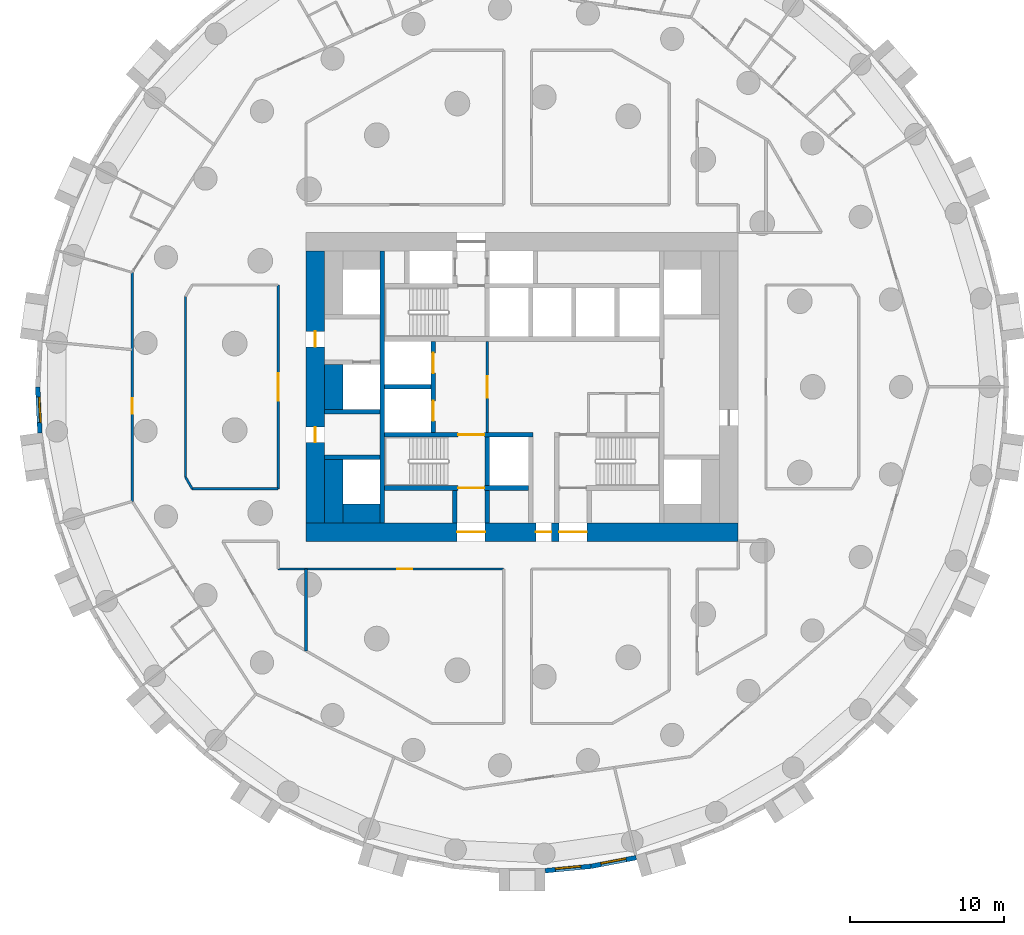
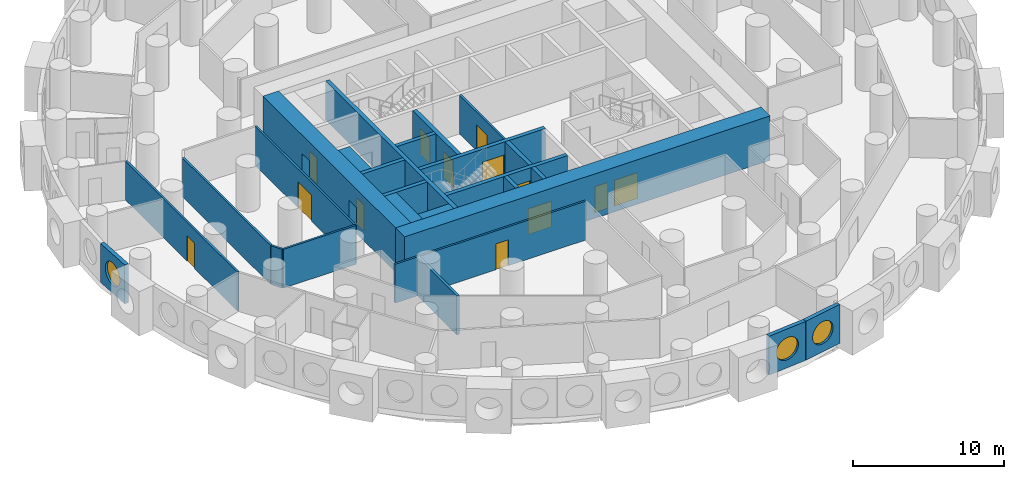
# One storey, part 4 of 12: 26 walls, 13 doors, 3 windows, 16 openings.
"""IFC4 building model written with IfcOpenShell, lengths in metres."""

import ifcopenshell
import ifcopenshell.guid

model = None  # the IFC model being written
_history = None  # IfcOwnerHistory: only IFC2X3 demands one
_inside = {}  # id of a spatial element -> (the spatial element, [elements in it])
_under = {}  # id of a project, library or spatial element -> (it, [spatial elements below it])
_declared = {}  # id of a project -> (the project, [libraries it declares])
_typed = {}  # id of a type object -> (the type object, [elements of that type])
_made_of = {}  # id of a material, layer set ... -> (it, [elements and type objects made of it])


def new_model(schema):
    """Start an empty IFC model of exactly this schema.

    Asked for "IFC4X3", IfcOpenShell would pick the latest addendum, in which some entities
    have other attributes; the version numbers below select the first issue.
    IFC2X3 requires an IfcOwnerHistory on every rooted entity: one is made here for all.
    """
    global model, _history
    if schema == "IFC4X3":
        model = ifcopenshell.file(schema_version=(4, 3, 0, 0))
    else:
        model = ifcopenshell.file(schema=schema)
    _inside.clear()
    _under.clear()
    _declared.clear()
    _typed.clear()
    _made_of.clear()
    _history = None
    if model.schema == "IFC2X3":
        org = make("IfcOrganization", Name="unknown")
        user = make(
            "IfcPersonAndOrganization",
            ThePerson=make("IfcPerson", FamilyName="unknown"),
            TheOrganization=org,
        )
        app = make(
            "IfcApplication",
            ApplicationDeveloper=org,
            Version="unknown",
            ApplicationFullName="unknown",
            ApplicationIdentifier="unknown",
        )
        _history = make(
            "IfcOwnerHistory",
            OwningUser=user,
            OwningApplication=app,
            ChangeAction="ADDED",
            CreationDate=0,
        )
    return model


def make(cls, **values):
    """One entity of the class cls with the attributes given. An attribute that is None is left unset."""
    return model.create_entity(
        cls, **{name: value for name, value in values.items() if value is not None}
    )


def rooted(cls, **values):
    """An entity with a GlobalId (a new one), such as an element, a storey or a relation."""
    return make(cls, GlobalId=ifcopenshell.guid.new(), OwnerHistory=_history, **values)


def si_unit(unit_type, name, prefix=None):
    """IfcSIUnit, for example si_unit("LENGTHUNIT", "METRE", prefix="MILLI")."""
    return make("IfcSIUnit", UnitType=unit_type, Prefix=prefix, Name=name)


def assignment(units):
    """IfcUnitAssignment: the units of a project."""
    return None if units is None else make("IfcUnitAssignment", Units=units)


def point(xyz):
    """IfcCartesianPoint."""
    return None if xyz is None else make("IfcCartesianPoint", Coordinates=xyz)


def direction(xyz):
    """IfcDirection."""
    return None if xyz is None else make("IfcDirection", DirectionRatios=xyz)


def frame(location, z_axis=None, x_axis=None):
    """IfcAxis2Placement3D, a coordinate frame: its origin and axes. An axis left out is left unset."""
    return make(
        "IfcAxis2Placement3D",
        Location=point(location),
        Axis=direction(z_axis),
        RefDirection=direction(x_axis),
    )


def frame_2d(location, x_axis=None):
    """IfcAxis2Placement2D, a coordinate frame in the plane: its origin and x axis."""
    return make(
        "IfcAxis2Placement2D", Location=point(location), RefDirection=direction(x_axis)
    )


def origin():
    """The frame at (0, 0, 0) with its axes left unset."""
    return frame((0.0, 0.0, 0.0))


def origin_2d():
    """The frame at (0, 0) in the plane with its x axis left unset."""
    return frame_2d((0.0, 0.0))


def place(relative_to, where):
    """IfcLocalPlacement: puts the frame where relative to a parent placement (None: the world)."""
    return make(
        "IfcLocalPlacement", PlacementRelTo=relative_to, RelativePlacement=where
    )


def context(
    kind, dimensions, precision=None, world=None, true_north=None, identifier=None
):
    """IfcGeometricRepresentationContext, for example the 3D "Model" context."""
    return make(
        "IfcGeometricRepresentationContext",
        ContextIdentifier=identifier,
        ContextType=kind,
        CoordinateSpaceDimension=dimensions,
        Precision=precision,
        WorldCoordinateSystem=world,
        TrueNorth=true_north,
    )


def subcontext(parent, identifier, kind, view, scale=None):
    """IfcGeometricRepresentationSubContext, for example "Body" below "Model"."""
    return make(
        "IfcGeometricRepresentationSubContext",
        ContextIdentifier=identifier,
        ContextType=kind,
        ParentContext=parent,
        TargetScale=scale,
        TargetView=view,
    )


def project(units=None, contexts=None):
    """IfcProject with its units and contexts."""
    return rooted(
        "IfcProject",
        Name="project",
        RepresentationContexts=contexts,
        UnitsInContext=assignment(units),
    )


def spatial(cls, under=None, at=None, **own):
    """A site, building, storey or space (cls), placed at a placement, below another one or the project."""
    s = rooted(cls, ObjectPlacement=at, **own)
    if under is not None:
        _under.setdefault(under.id(), (under, []))[1].append(s)
    return s


def profile(cls, at=None, kind="AREA", **sizes):
    """A parametric profile (cls). Its sizes go by their IFC names, for example OverallWidth=200.0."""
    return make(cls, ProfileType=kind, Position=at, **sizes)


def rectangle(**sizes):
    """IfcRectangleProfileDef."""
    return profile("IfcRectangleProfileDef", **sizes)


def circle(**sizes):
    """IfcCircleProfileDef."""
    return profile("IfcCircleProfileDef", **sizes)


def extrude(swept, where, along, depth):
    """IfcExtrudedAreaSolid: the profile swept, set in the frame where, extruded along a direction by depth."""
    return make(
        "IfcExtrudedAreaSolid",
        SweptArea=swept,
        Position=where,
        ExtrudedDirection=direction(along),
        Depth=depth,
    )


def shape(context_of_items, identifier, shape_type, items):
    """IfcShapeRepresentation: the items that make up one representation, for example the "Body"."""
    return make(
        "IfcShapeRepresentation",
        ContextOfItems=context_of_items,
        RepresentationIdentifier=identifier,
        RepresentationType=shape_type,
        Items=items,
    )


def material(Name=None, Category=None):
    """IfcMaterial."""
    return make("IfcMaterial", Name=Name, Category=Category)


def layer(
    of_material, thickness, ventilated=None, Name=None, Category=None, Priority=None
):
    """IfcMaterialLayer: one layer of a wall or slab, of a material (None: an air gap)."""
    return make(
        "IfcMaterialLayer",
        Material=of_material,
        LayerThickness=thickness,
        IsVentilated=ventilated,
        Name=Name,
        Category=Category,
        Priority=Priority,
    )


def layer_set(layers, Name=None):
    """IfcMaterialLayerSet."""
    return make("IfcMaterialLayerSet", MaterialLayers=layers, LayerSetName=Name)


def made_of(thing, what):
    """Note that an element or type object is made of a material, layer set ...; save() writes the relation."""
    if what is not None:
        _made_of.setdefault(what.id(), (what, []))[1].append(thing)
    return thing


def type_object(cls, material=None, **own):
    """A type object (cls), such as IfcWallType, which elements share."""
    return made_of(rooted(cls, **own), material)


def element(
    cls,
    number,
    at=None,
    inside=None,
    cuts=None,
    type_object=None,
    material=None,
    context=None,
    identifier="Body",
    shape_type=None,
    held_by="IfcProductDefinitionShape",
    body=None,
    shapes=None,
    **own,
):
    """One element of the class cls, such as IfcWall. Its Tag is "e" and its number.

    at: its placement. inside: the storey or other place that contains it. cuts: it is an
    opening in that element (IfcRelVoidsElement). A single representation is given by context,
    identifier, shape_type and body (its items); several are given by shapes. held_by: the class
    of the entity that holds the representations. save() writes the other relations.
    """
    e = rooted(cls, Tag="e%d" % number, ObjectPlacement=at, **own)
    if body is not None:
        shapes = [shape(context, identifier, shape_type, body)]
    if shapes is not None:
        e.Representation = make(held_by, Representations=shapes)
    if inside is not None:
        _inside.setdefault(inside.id(), (inside, []))[1].append(e)
    if cuts is not None:
        rooted(
            "IfcRelVoidsElement", RelatingBuildingElement=cuts, RelatedOpeningElement=e
        )
    if type_object is not None:
        _typed.setdefault(type_object.id(), (type_object, []))[1].append(e)
    return made_of(e, material)


def fill(opening, filler):
    """IfcRelFillsElement: the door or window that sits in an opening."""
    return rooted(
        "IfcRelFillsElement",
        RelatingOpeningElement=opening,
        RelatedBuildingElement=filler,
    )


def aggregate(whole, parts):
    """IfcRelAggregates: a whole, such as a stair, and the parts it consists of."""
    return rooted("IfcRelAggregates", RelatingObject=whole, RelatedObjects=parts)


def save(model, path):
    """Write the relations noted so far, then the file.

    IfcRelAggregates (storeys below a building ...), IfcRelContainedInSpatialStructure (elements
    in a storey), IfcRelDefinesByType, IfcRelAssociatesMaterial and IfcRelDeclares: one each for
    every whole, place, type object, material and project.
    """
    for whole, parts in _under.values():
        aggregate(whole, parts)
    for where, things in _inside.values():
        rooted(
            "IfcRelContainedInSpatialStructure",
            RelatedElements=things,
            RelatingStructure=where,
        )
    for kind, things in _typed.values():
        rooted("IfcRelDefinesByType", RelatedObjects=things, RelatingType=kind)
    for what, things in _made_of.values():
        rooted("IfcRelAssociatesMaterial", RelatedObjects=things, RelatingMaterial=what)
    for by, libraries in _declared.values():
        rooted("IfcRelDeclares", RelatingContext=by, RelatedDefinitions=libraries)
    model.write(path)


model = new_model("IFC4")

# Units and contexts
model_context = context("Model", 3, precision=1e-05, world=origin(), true_north=direction((0.0, 1.0)))
body_context = subcontext(model_context, "Body", "Model", "MODEL_VIEW")
ifc_project = project(units=[si_unit("LENGTHUNIT", "METRE"), si_unit("AREAUNIT", "SQUARE_METRE"), si_unit("VOLUMEUNIT", "CUBIC_METRE"), si_unit("PLANEANGLEUNIT", "RADIAN"), si_unit("MASSUNIT", "GRAM", prefix="KILO")], contexts=[model_context])

# Site, building, storey
site_placement = place(None, origin())
site = spatial("IfcSite", under=ifc_project, at=site_placement, CompositionType="ELEMENT")
building_placement = place(site_placement, origin())
building = spatial("IfcBuilding", under=site, at=building_placement, Name="Tracery Tower", CompositionType="ELEMENT")
storey_placement = place(building_placement, frame((0.0, 0.0, 53.39990234375)))
storey = spatial("IfcBuildingStorey", under=building, at=storey_placement, Name="L12", CompositionType="ELEMENT", Elevation=53.39990234375)

# Wall, opening, door
ifc_material_1 = material(Name="Plasterboard on steel studs", Category="steel")
ifc_layer_1 = layer(ifc_material_1, 0.14990234375)
ifc_layer_set_1 = layer_set([ifc_layer_1], Name="Core lobby partition 150")
wall_type_1 = type_object("IfcWallType", Name="Core lobby partition 150", PredefinedType="SOLIDWALL", material=ifc_layer_set_1)
wall_1_placement = place(storey_placement, frame((-2.25, -2.949951171875, 0.0), z_axis=(0.0, 0.0, 1.0), x_axis=(0.0, 1.0, 0.0)))
wall_1 = element("IfcWall", 1, at=wall_1_placement, inside=storey, type_object=wall_type_1, Name="L12 FF lobby E", PredefinedType="SOLIDWALL", context=body_context, shape_type="SweptSolid", body=[
    extrude(rectangle(XDim=5.89990234375, YDim=0.14990234375, at=frame_2d((2.949951171875, 0.0))), origin(), (0.0, 0.0, 1.0), 3.150146484375),
])
opening_1_placement = place(wall_1_placement, frame((2.25, 0.0, 0.0)))
opening_1 = element("IfcOpeningElement", 2, at=opening_1_placement, cuts=wall_1, Name="Opening KD8", PredefinedType="OPENING", context=body_context, shape_type="SweptSolid", body=[
    extrude(rectangle(XDim=1.39990234375, YDim=2.10009765625, at=frame_2d((0.699951171875, 1.050048828125))), frame((0.0, 0.074951171875, 0.0), z_axis=(0.0, -1.0, 0.0), x_axis=(1.0, 0.0, 0.0)), (0.0, 0.0, 1.0), 0.14990234375),
])
ifc_material_2 = material(Name="Steel fire door", Category="steel")
door_type_1 = type_object("IfcDoorType", Name="Core lobby door 1400 double", OperationType="NOTDEFINED", PredefinedType="DOOR", material=ifc_material_2)
door_1_placement = place(opening_1_placement, origin())
door_1 = element("IfcDoor", 3, at=door_1_placement, inside=storey, type_object=door_type_1, Name="Fire-fighting lobby door", OperationType="DOUBLE_DOOR_SINGLE_SWING", OverallHeight=2.10009765625, OverallWidth=1.39990234375, PredefinedType="DOOR", context=body_context, shape_type="SweptSolid", body=[
    extrude(rectangle(XDim=1.39990234375, YDim=2.10009765625, at=frame_2d((0.699951171875, 1.050048828125))), frame((0.0, 0.02490234375, 0.0), z_axis=(0.0, -1.0, 0.0), x_axis=(1.0, 0.0, 0.0)), (0.0, 0.0, 1.0), 0.050048828125),
])
fill(opening_1, door_1)

# Walls
ifc_material_3 = material(Name="Concrete C60/75", Category="concrete")
ifc_layer_2 = layer(ifc_material_3, 1.199951171875)
ifc_layer_set_2 = layer_set([ifc_layer_2], Name="Core strip wall 1200 C60")
wall_type_2 = type_object("IfcWallType", Name="Core strip wall 1200 C60", PredefinedType="SOLIDWALL", material=ifc_layer_set_2)
wall_2_placement = place(storey_placement, frame((-12.199951171875, -8.800048828125, 0.0), z_axis=(0.0, 0.0, 1.0), x_axis=(0.0, 1.0, 0.0)))
element("IfcWall", 4, at=wall_2_placement, inside=storey, type_object=wall_type_2, Name="L12 wing strip -1 -9.4", PredefinedType="SOLIDWALL", context=body_context, shape_type="SweptSolid", body=[
    extrude(rectangle(XDim=4.10009765625, YDim=1.199951171875, at=frame_2d((2.050048828125, 0.0))), origin(), (0.0, 0.0, 1.0), 3.150146484375),
])
wall_3_placement = place(storey_placement, frame((-12.199951171875, -1.449951171875, 0.0), z_axis=(0.0, 0.0, 1.0), x_axis=(0.0, 1.0, 0.0)))
element("IfcWall", 5, at=wall_3_placement, inside=storey, type_object=wall_type_2, Name="L12 wing strip -1 -1.6", PredefinedType="SOLIDWALL", context=body_context, shape_type="SweptSolid", body=[
    extrude(rectangle(XDim=2.89990234375, YDim=1.199951171875, at=frame_2d((1.449951171875, 0.0))), origin(), (0.0, 0.0, 1.0), 3.150146484375),
])
wall_4_placement = place(storey_placement, frame((-11.60009765625, -8.199951171875, 0.0), z_axis=(0.0, 0.0, 1.0), x_axis=(1.0, 0.0, 0.0)))
element("IfcWall", 6, at=wall_4_placement, inside=storey, type_object=wall_type_2, Name="L12 wing corner -1 -8.2", PredefinedType="SOLIDWALL", context=body_context, shape_type="SweptSolid", body=[
    extrude(rectangle(XDim=2.400146484375, YDim=1.199951171875, at=frame_2d((1.2001953125, 0.0))), origin(), (0.0, 0.0, 1.0), 3.150146484375),
])

# Wall, openings, doors
ifc_material_4 = material(Name="Concrete C60/75", Category="concrete")
ifc_layer_3 = layer(ifc_material_4, 1.199951171875)
ifc_layer_set_3 = layer_set([ifc_layer_3], Name="Core wall 1200 C60")
wall_type_3 = type_object("IfcWallType", Name="Core wall 1200 C60", PredefinedType="SOLIDWALL", material=ifc_layer_set_3)
wall_5_placement = place(storey_placement, frame((-14.0, -9.39990234375, 0.0), z_axis=(0.0, 0.0, 1.0), x_axis=(1.0, 0.0, 0.0)))
wall_5 = element("IfcWall", 7, at=wall_5_placement, inside=storey, type_object=wall_type_3, Name="L12 outer S", PredefinedType="SOLIDWALL", context=body_context, shape_type="SweptSolid", body=[
    extrude(rectangle(XDim=28.0, YDim=1.199951171875, at=frame_2d((14.0, 0.0))), origin(), (0.0, 0.0, 1.0), 3.60009765625),
])
opening_2_placement = place(wall_5_placement, frame((14.89990234375, 0.0, 0.0)))
opening_2 = element("IfcOpeningElement", 8, at=opening_2_placement, cuts=wall_5, Name="Opening KD16", PredefinedType="OPENING", context=body_context, shape_type="SweptSolid", body=[
    extrude(rectangle(XDim=1.0, YDim=2.10009765625, at=frame_2d((0.5, 1.050048828125))), frame((0.0, 0.60009765625, 0.0), z_axis=(0.0, -1.0, 0.0), x_axis=(1.0, 0.0, 0.0)), (0.0, 0.0, 1.0), 1.199951171875),
])
opening_3_placement = place(wall_5_placement, frame((9.800048828125, 0.0, 0.0)))
opening_3 = element("IfcOpeningElement", 9, at=opening_3_placement, cuts=wall_5, Name="Opening KD13", PredefinedType="OPENING", context=body_context, shape_type="SweptSolid", body=[
    extrude(rectangle(XDim=1.800048828125, YDim=2.10009765625, at=frame_2d((0.89990234375, 1.050048828125))), frame((0.0, 0.60009765625, 0.0), z_axis=(0.0, -1.0, 0.0), x_axis=(1.0, 0.0, 0.0)), (0.0, 0.0, 1.0), 1.199951171875),
])
opening_4_placement = place(wall_5_placement, frame((16.39990234375, 0.0, 0.0)))
opening_4 = element("IfcOpeningElement", 10, at=opening_4_placement, cuts=wall_5, Name="Opening KD13", PredefinedType="OPENING", context=body_context, shape_type="SweptSolid", body=[
    extrude(rectangle(XDim=1.800048828125, YDim=2.10009765625, at=frame_2d((0.89990234375, 1.050048828125))), frame((0.0, 0.60009765625, 0.0), z_axis=(0.0, -1.0, 0.0), x_axis=(1.0, 0.0, 0.0)), (0.0, 0.0, 1.0), 1.199951171875),
])
ifc_material_5 = material(Name="Steel fire door", Category="steel")
door_type_2 = type_object("IfcDoorType", Name="Core exit door 1000", OperationType="NOTDEFINED", PredefinedType="DOOR", material=ifc_material_5)
door_2_placement = place(opening_2_placement, origin())
door_2 = element("IfcDoor", 11, at=door_2_placement, inside=storey, type_object=door_type_2, Name="Core exit door", OperationType="SINGLE_SWING_LEFT", OverallHeight=2.10009765625, OverallWidth=1.0, PredefinedType="DOOR", context=body_context, shape_type="SweptSolid", body=[
    extrude(rectangle(XDim=1.0, YDim=2.10009765625, at=frame_2d((0.5, 1.050048828125))), frame((0.0, 0.02490234375, 0.0), z_axis=(0.0, -1.0, 0.0), x_axis=(1.0, 0.0, 0.0)), (0.0, 0.0, 1.0), 0.050048828125),
])
fill(opening_2, door_2)
ifc_material_6 = material(Name="Steel fire door", Category="steel")
door_type_3 = type_object("IfcDoorType", Name="Core exit door 1800 double", OperationType="NOTDEFINED", PredefinedType="DOOR", material=ifc_material_6)
door_3_placement = place(opening_3_placement, origin())
door_3 = element("IfcDoor", 12, at=door_3_placement, inside=storey, type_object=door_type_3, Name="Core exit door", OperationType="DOUBLE_DOOR_SINGLE_SWING", OverallHeight=2.10009765625, OverallWidth=1.800048828125, PredefinedType="DOOR", context=body_context, shape_type="SweptSolid", body=[
    extrude(rectangle(XDim=1.800048828125, YDim=2.10009765625, at=frame_2d((0.89990234375, 1.050048828125))), frame((0.0, 0.02490234375, 0.0), z_axis=(0.0, -1.0, 0.0), x_axis=(1.0, 0.0, 0.0)), (0.0, 0.0, 1.0), 0.050048828125),
])
fill(opening_3, door_3)
door_4_placement = place(opening_4_placement, origin())
door_4 = element("IfcDoor", 13, at=door_4_placement, inside=storey, type_object=door_type_3, Name="Core exit door", OperationType="DOUBLE_DOOR_SINGLE_SWING", OverallHeight=2.10009765625, OverallWidth=1.800048828125, PredefinedType="DOOR", context=body_context, shape_type="SweptSolid", body=[
    extrude(rectangle(XDim=1.800048828125, YDim=2.10009765625, at=frame_2d((0.89990234375, 1.050048828125))), frame((0.0, 0.02490234375, 0.0), z_axis=(0.0, -1.0, 0.0), x_axis=(1.0, 0.0, 0.0)), (0.0, 0.0, 1.0), 0.050048828125),
])
fill(opening_4, door_4)

wall_6_placement = place(storey_placement, frame((-13.39990234375, -8.800048828125, 0.0), z_axis=(0.0, 0.0, 1.0), x_axis=(0.0, 1.0, 0.0)))
wall_6 = element("IfcWall", 14, at=wall_6_placement, inside=storey, type_object=wall_type_3, Name="L12 outer W", PredefinedType="SOLIDWALL", context=body_context, shape_type="SweptSolid", body=[
    extrude(rectangle(XDim=17.60009765625, YDim=1.199951171875, at=frame_2d((8.800048828125, 0.0))), origin(), (0.0, 0.0, 1.0), 3.60009765625),
])
opening_5_placement = place(wall_6_placement, frame((5.199951171875, 0.0, 0.0)))
opening_5 = element("IfcOpeningElement", 15, at=opening_5_placement, cuts=wall_6, Name="Opening KD18", PredefinedType="OPENING", context=body_context, shape_type="SweptSolid", body=[
    extrude(rectangle(XDim=1.0, YDim=2.10009765625, at=frame_2d((0.5, 1.050048828125))), frame((0.0, 0.60009765625, 0.0), z_axis=(0.0, -1.0, 0.0), x_axis=(1.0, 0.0, 0.0)), (0.0, 0.0, 1.0), 1.199951171875),
])
opening_6_placement = place(wall_6_placement, frame((11.39990234375, 0.0, 0.0)))
opening_6 = element("IfcOpeningElement", 16, at=opening_6_placement, cuts=wall_6, Name="Opening KD18", PredefinedType="OPENING", context=body_context, shape_type="SweptSolid", body=[
    extrude(rectangle(XDim=1.0, YDim=2.10009765625, at=frame_2d((0.5, 1.050048828125))), frame((0.0, 0.60009765625, 0.0), z_axis=(0.0, -1.0, 0.0), x_axis=(1.0, 0.0, 0.0)), (0.0, 0.0, 1.0), 1.199951171875),
])
door_5_placement = place(opening_5_placement, origin())
door_5 = element("IfcDoor", 17, at=door_5_placement, inside=storey, type_object=door_type_2, Name="Core exit door", OperationType="DOUBLE_DOOR_SINGLE_SWING", OverallHeight=2.10009765625, OverallWidth=1.0, PredefinedType="DOOR", context=body_context, shape_type="SweptSolid", body=[
    extrude(rectangle(XDim=1.0, YDim=2.10009765625, at=frame_2d((0.5, 1.050048828125))), frame((0.0, 0.02490234375, 0.0), z_axis=(0.0, -1.0, 0.0), x_axis=(1.0, 0.0, 0.0)), (0.0, 0.0, 1.0), 0.050048828125),
])
fill(opening_5, door_5)
door_6_placement = place(opening_6_placement, origin())
door_6 = element("IfcDoor", 18, at=door_6_placement, inside=storey, type_object=door_type_2, Name="Core exit door", OperationType="DOUBLE_DOOR_SINGLE_SWING", OverallHeight=2.10009765625, OverallWidth=1.0, PredefinedType="DOOR", context=body_context, shape_type="SweptSolid", body=[
    extrude(rectangle(XDim=1.0, YDim=2.10009765625, at=frame_2d((0.5, 1.050048828125))), frame((0.0, 0.02490234375, 0.0), z_axis=(0.0, -1.0, 0.0), x_axis=(1.0, 0.0, 0.0)), (0.0, 0.0, 1.0), 0.050048828125),
])
fill(opening_6, door_6)

# Wall, opening, window
ifc_material_7 = material(Name="Precast concrete C50/60", Category="concrete")
ifc_layer_4 = layer(ifc_material_7, 0.300048828125)
ifc_layer_set_4 = layer_set([ifc_layer_4], Name="Facade panel 3000 x 3150")
wall_type_4 = type_object("IfcWallType", Name="Facade panel 3000 x 3150", PredefinedType="SOLIDWALL", material=ifc_layer_set_4)
wall_7_placement = place(storey_placement, frame((-31.37451171875, 0.0, 0.0), z_axis=(0.0, 0.0, 1.0), x_axis=(0.047604077644, -0.998866283239, 0.0)))
wall_7 = element("IfcWall", 19, at=wall_7_placement, inside=storey, type_object=wall_type_4, Name="Facade panel 34 at L12", PredefinedType="SOLIDWALL", context=body_context, shape_type="SweptSolid", body=[
    extrude(rectangle(XDim=2.979736328125, YDim=0.300048828125, at=frame_2d((1.48974609375, 0.0))), origin(), (0.0, 0.0, 1.0), 3.150146484375),
])
opening_7_placement = place(wall_7_placement, frame((1.48974609375, 0.0, 1.5498046875)))
opening_7 = element("IfcOpeningElement", 20, at=opening_7_placement, cuts=wall_7, Name="Opening WN1", PredefinedType="OPENING", context=body_context, shape_type="SweptSolid", body=[
    extrude(circle(Radius=0.9000244140625, at=origin_2d()), frame((0.0, 0.159912109375, 0.0), z_axis=(0.0, -1.0, 0.0), x_axis=(1.0, 0.0, 0.0)), (0.0, 0.0, 1.0), 0.320068359375),
])
ifc_material_8 = material(Name="Aluminium frame with tinted double glazing", Category="aluminium")
window_type = type_object("IfcWindowType", Name="Round window 1800", PartitioningType="SINGLE_PANEL", PredefinedType="WINDOW", material=ifc_material_8)
window_1_placement = place(opening_7_placement, origin())
window_1 = element("IfcWindow", 21, at=window_1_placement, inside=storey, type_object=window_type, Name="Round window 34 at L12", OverallHeight=1.800048828125, OverallWidth=1.800048828125, PartitioningType="SINGLE_PANEL", PredefinedType="WINDOW", context=body_context, shape_type="SweptSolid", body=[
    extrude(circle(Radius=0.9000244140625, at=origin_2d()), frame((0.0, 0.1201171875, 0.0), z_axis=(0.0, -1.0, 0.0), x_axis=(1.0, 0.0, 0.0)), (0.0, 0.0, 1.0), 0.10009765625),
])
fill(opening_7, window_1)

wall_8_placement = place(storey_placement, frame((1.498779296875, -31.33837890625, 0.0), z_axis=(0.0, 0.0, 1.0), x_axis=(0.995473351551, 0.095041077185, 0.0)))
wall_8 = element("IfcWall", 22, at=wall_8_placement, inside=storey, type_object=wall_type_4, Name="Facade panel 51 at L12", PredefinedType="SOLIDWALL", context=body_context, shape_type="SweptSolid", body=[
    extrude(rectangle(XDim=2.979736328125, YDim=0.300048828125, at=frame_2d((1.48974609375, 0.0))), origin(), (0.0, 0.0, 1.0), 3.150146484375),
])
opening_8_placement = place(wall_8_placement, frame((1.48974609375, 0.0, 1.5498046875)))
opening_8 = element("IfcOpeningElement", 23, at=opening_8_placement, cuts=wall_8, Name="Opening WN1", PredefinedType="OPENING", context=body_context, shape_type="SweptSolid", body=[
    extrude(circle(Radius=0.9000244140625, at=origin_2d()), frame((0.0, 0.159912109375, 0.0), z_axis=(0.0, -1.0, 0.0), x_axis=(1.0, 0.0, 0.0)), (0.0, 0.0, 1.0), 0.320068359375),
])
window_2_placement = place(opening_8_placement, origin())
window_2 = element("IfcWindow", 24, at=window_2_placement, inside=storey, type_object=window_type, Name="Round window 51 at L12", OverallHeight=1.800048828125, OverallWidth=1.800048828125, PartitioningType="SINGLE_PANEL", PredefinedType="WINDOW", context=body_context, shape_type="SweptSolid", body=[
    extrude(circle(Radius=0.9000244140625, at=origin_2d()), frame((0.0, 0.1201171875, 0.0), z_axis=(0.0, -1.0, 0.0), x_axis=(1.0, 0.0, 0.0)), (0.0, 0.0, 1.0), 0.10009765625),
])
fill(opening_8, window_2)

wall_9_placement = place(storey_placement, frame((4.465087890625, -31.05517578125, 0.0), z_axis=(0.0, 0.0, 1.0), x_axis=(0.981924535406, 0.189272836848, 0.0)))
wall_9 = element("IfcWall", 25, at=wall_9_placement, inside=storey, type_object=wall_type_4, Name="Facade panel 52 at L12", PredefinedType="SOLIDWALL", context=body_context, shape_type="SweptSolid", body=[
    extrude(rectangle(XDim=2.979736328125, YDim=0.300048828125, at=frame_2d((1.48974609375, 0.0))), origin(), (0.0, 0.0, 1.0), 3.150146484375),
])
opening_9_placement = place(wall_9_placement, frame((1.48974609375, 0.0, 1.5498046875)))
opening_9 = element("IfcOpeningElement", 26, at=opening_9_placement, cuts=wall_9, Name="Opening WN1", PredefinedType="OPENING", context=body_context, shape_type="SweptSolid", body=[
    extrude(circle(Radius=0.9000244140625, at=origin_2d()), frame((0.0, 0.159912109375, 0.0), z_axis=(0.0, -1.0, 0.0), x_axis=(1.0, 0.0, 0.0)), (0.0, 0.0, 1.0), 0.320068359375),
])
window_3_placement = place(opening_9_placement, origin())
window_3 = element("IfcWindow", 27, at=window_3_placement, inside=storey, type_object=window_type, Name="Round window 52 at L12", OverallHeight=1.800048828125, OverallWidth=1.800048828125, PartitioningType="SINGLE_PANEL", PredefinedType="WINDOW", context=body_context, shape_type="SweptSolid", body=[
    extrude(circle(Radius=0.9000244140625, at=origin_2d()), frame((0.0, 0.1201171875, 0.0), z_axis=(0.0, -1.0, 0.0), x_axis=(1.0, 0.0, 0.0)), (0.0, 0.0, 1.0), 0.10009765625),
])
fill(opening_9, window_3)

# Wall, opening, door
ifc_material_9 = material(Name="Plasterboard on steel studs", Category="steel")
ifc_layer_5 = layer(ifc_material_9, 0.14990234375)
ifc_layer_set_5 = layer_set([ifc_layer_5], Name="Partition 150 corridor wall")
wall_type_5 = type_object("IfcWallType", Name="Partition 150 corridor wall", PredefinedType="PARTITIONING", material=ifc_layer_set_5)
wall_10_placement = place(storey_placement, frame((-15.800048828125, -11.800048828125, 0.0), z_axis=(0.0, 0.0, 1.0), x_axis=(1.0, 0.0, 0.0)))
wall_10 = element("IfcWall", 28, at=wall_10_placement, inside=storey, type_object=wall_type_5, Name="Corridor wall RA3-005", PredefinedType="PARTITIONING", context=body_context, shape_type="SweptSolid", body=[
    extrude(rectangle(XDim=14.612060546875, YDim=0.14990234375, at=frame_2d((7.30615234375, 0.0))), origin(), (0.0, 0.0, 1.0), 3.150146484375),
])
opening_10_placement = place(wall_10_placement, frame((7.72900390625, 0.0, 0.0)))
opening_10 = element("IfcOpeningElement", 29, at=opening_10_placement, cuts=wall_10, Name="Opening RA3-04", PredefinedType="OPENING", context=body_context, shape_type="SweptSolid", body=[
    extrude(rectangle(XDim=0.949951171875, YDim=2.10009765625, at=frame_2d((0.47509765625, 1.050048828125))), frame((0.0, 0.074951171875, 0.0), z_axis=(0.0, -1.0, 0.0), x_axis=(1.0, 0.0, 0.0)), (0.0, 0.0, 1.0), 0.14990234375),
])
ifc_material_10 = material(Name="Timber door leaf", Category="wood")
door_type_4 = type_object("IfcDoorType", Name="Door store 950", OperationType="NOTDEFINED", PredefinedType="DOOR", material=ifc_material_10)
door_7_placement = place(opening_10_placement, origin())
door_7 = element("IfcDoor", 30, at=door_7_placement, inside=storey, type_object=door_type_4, Name="Store door RA3-04", OperationType="SINGLE_SWING_RIGHT", OverallHeight=2.10009765625, OverallWidth=0.949951171875, PredefinedType="DOOR", context=body_context, shape_type="SweptSolid", body=[
    extrude(rectangle(XDim=0.949951171875, YDim=2.10009765625, at=frame_2d((0.47509765625, 1.050048828125))), frame((0.0, 0.02490234375, 0.0), z_axis=(0.0, -1.0, 0.0), x_axis=(1.0, 0.0, 0.0)), (0.0, 0.0, 1.0), 0.050048828125),
])
fill(opening_10, door_7)

wall_11_placement = place(storey_placement, frame((-15.800048828125, -6.60400390625, 0.0), z_axis=(0.0, 0.0, 1.0), x_axis=(0.0, 1.0, 0.0)))
wall_11 = element("IfcWall", 31, at=wall_11_placement, inside=storey, type_object=wall_type_5, Name="Corridor wall RA3-013", PredefinedType="PARTITIONING", context=body_context, shape_type="SweptSolid", body=[
    extrude(rectangle(XDim=13.2080078125, YDim=0.14990234375, at=frame_2d((6.60400390625, 0.0))), origin(), (0.0, 0.0, 1.0), 3.150146484375),
])
opening_11_placement = place(wall_11_placement, frame((5.7041015625, 0.0, 0.0)))
opening_11 = element("IfcOpeningElement", 32, at=opening_11_placement, cuts=wall_11, Name="Opening RA3-08", PredefinedType="OPENING", context=body_context, shape_type="SweptSolid", body=[
    extrude(rectangle(XDim=1.800048828125, YDim=2.10009765625, at=frame_2d((0.89990234375, 1.050048828125))), frame((0.0, 0.074951171875, 0.0), z_axis=(0.0, -1.0, 0.0), x_axis=(1.0, 0.0, 0.0)), (0.0, 0.0, 1.0), 0.14990234375),
])
ifc_material_11 = material(Name="Timber door leaf", Category="wood")
door_type_5 = type_object("IfcDoorType", Name="Door double lounge 1800", OperationType="NOTDEFINED", PredefinedType="DOOR", material=ifc_material_11)
door_8_placement = place(opening_11_placement, origin())
door_8 = element("IfcDoor", 33, at=door_8_placement, inside=storey, type_object=door_type_5, Name="Double lounge door RA3-08", OperationType="DOUBLE_DOOR_SINGLE_SWING", OverallHeight=2.10009765625, OverallWidth=1.800048828125, PredefinedType="DOOR", context=body_context, shape_type="SweptSolid", body=[
    extrude(rectangle(XDim=1.800048828125, YDim=2.10009765625, at=frame_2d((0.89990234375, 1.050048828125))), frame((0.0, 0.02490234375, 0.0), z_axis=(0.0, -1.0, 0.0), x_axis=(1.0, 0.0, 0.0)), (0.0, 0.0, 1.0), 0.050048828125),
])
fill(opening_11, door_8)

# Walls
wall_12_placement = place(storey_placement, frame((-21.802001953125, -5.842041015625, 0.0), z_axis=(0.0, 0.0, 1.0), x_axis=(0.0, 1.0, 0.0)))
element("IfcWall", 34, at=wall_12_placement, inside=storey, type_object=wall_type_5, Name="Corridor wall RA3-040", PredefinedType="PARTITIONING", context=body_context, shape_type="SweptSolid", body=[
    extrude(rectangle(XDim=11.68408203125, YDim=0.14990234375, at=frame_2d((5.842041015625, 0.0))), origin(), (0.0, 0.0, 1.0), 3.150146484375),
])
wall_13_placement = place(storey_placement, frame((-21.802001953125, -5.842041015625, 0.0), z_axis=(0.0, 0.0, 1.0), x_axis=(0.500277597875, -0.865865073245, 0.0)))
element("IfcWall", 35, at=wall_13_placement, inside=storey, type_object=wall_type_5, Name="Corridor wall RA3-041", PredefinedType="PARTITIONING", context=body_context, shape_type="SweptSolid", body=[
    extrude(rectangle(XDim=0.87548828125, YDim=0.14990234375, at=frame_2d((0.437744140625, 0.0))), origin(), (0.0, 0.0, 1.0), 3.150146484375),
])
wall_14_placement = place(storey_placement, frame((-21.364013671875, -6.60009765625, 0.0), z_axis=(0.0, 0.0, 1.0), x_axis=(1.0, 0.0, 0.0)))
element("IfcWall", 36, at=wall_14_placement, inside=storey, type_object=wall_type_5, Name="Corridor wall RA3-042", PredefinedType="PARTITIONING", context=body_context, shape_type="SweptSolid", body=[
    extrude(rectangle(XDim=5.56396484375, YDim=0.14990234375, at=frame_2d((2.781982421875, 0.0))), origin(), (0.0, 0.0, 1.0), 3.150146484375),
])

# Wall, opening, door
wall_15_placement = place(storey_placement, frame((-25.2529296875, -7.4150390625, 0.0), z_axis=(0.0, 0.0, 1.0), x_axis=(0.0, 1.0, 0.0)))
wall_15 = element("IfcWall", 37, at=wall_15_placement, inside=storey, type_object=wall_type_5, Name="Corridor wall RA3-045", PredefinedType="PARTITIONING", context=body_context, shape_type="SweptSolid", body=[
    extrude(rectangle(XDim=14.830078125, YDim=0.14990234375, at=frame_2d((7.4150390625, 0.0))), origin(), (0.0, 0.0, 1.0), 3.150146484375),
])
opening_12_placement = place(wall_15_placement, frame((5.6650390625, 0.0, 0.0)))
opening_12 = element("IfcOpeningElement", 38, at=opening_12_placement, cuts=wall_15, Name="Opening RA3-33", PredefinedType="OPENING", context=body_context, shape_type="SweptSolid", body=[
    extrude(rectangle(XDim=1.0, YDim=2.0400390625, at=frame_2d((0.5, 1.02001953125))), frame((0.0, 0.074951171875, 0.0), z_axis=(0.0, -1.0, 0.0), x_axis=(1.0, 0.0, 0.0)), (0.0, 0.0, 1.0), 0.14990234375),
])
ifc_material_12 = material(Name="Timber door leaf", Category="wood")
door_type_6 = type_object("IfcDoorType", Name="Door communal room 1000", OperationType="NOTDEFINED", PredefinedType="DOOR", material=ifc_material_12)
door_9_placement = place(opening_12_placement, origin())
door_9 = element("IfcDoor", 39, at=door_9_placement, inside=storey, type_object=door_type_6, Name="Communal room door RA3-33", OperationType="SINGLE_SWING_RIGHT", OverallHeight=2.0400390625, OverallWidth=1.0, PredefinedType="DOOR", context=body_context, shape_type="SweptSolid", body=[
    extrude(rectangle(XDim=1.0, YDim=2.0400390625, at=frame_2d((0.5, 1.02001953125))), frame((0.0, 0.02490234375, 0.0), z_axis=(0.0, -1.0, 0.0), x_axis=(1.0, 0.0, 0.0)), (0.0, 0.0, 1.0), 0.050048828125),
])
fill(opening_12, door_9)

# Walls
ifc_material_13 = material(Name="Plasterboard on steel studs", Category="steel")
ifc_layer_6 = layer(ifc_material_13, 0.199951171875)
ifc_layer_set_6 = layer_set([ifc_layer_6], Name="Partition 200 compartment wall")
wall_type_6 = type_object("IfcWallType", Name="Partition 200 compartment wall", PredefinedType="PARTITIONING", material=ifc_layer_set_6)
wall_16_placement = place(storey_placement, frame((-14.0, -17.092041015625, 0.0), z_axis=(0.0, 0.0, 1.0), x_axis=(0.0, 1.0, 0.0)))
element("IfcWall", 40, at=wall_16_placement, inside=storey, type_object=wall_type_6, Name="Compartment wall RA3-059", PredefinedType="PARTITIONING", context=body_context, shape_type="SweptSolid", body=[
    extrude(rectangle(XDim=5.2919921875, YDim=0.199951171875, at=frame_2d((2.64599609375, 0.0))), origin(), (0.0, 0.0, 1.0), 3.150146484375),
])
ifc_material_14 = material(Name="Concrete C60/75", Category="concrete")
ifc_layer_7 = layer(ifc_material_14, 0.300048828125)
ifc_layer_set_7 = layer_set([ifc_layer_7], Name="Shaft wall 300 C60")
wall_type_7 = type_object("IfcWallType", Name="Shaft wall 300 C60", PredefinedType="SOLIDWALL", material=ifc_layer_set_7)
wall_17_placement = place(storey_placement, frame((-8.89990234375, 0.0, 0.0), z_axis=(0.0, 0.0, 1.0), x_axis=(1.0, 0.0, 0.0)))
element("IfcWall", 41, at=wall_17_placement, inside=storey, type_object=wall_type_7, Name="L12 FF split", PredefinedType="SOLIDWALL", context=body_context, shape_type="SweptSolid", body=[
    extrude(rectangle(XDim=3.0, YDim=0.300048828125, at=frame_2d((1.5, 0.0))), origin(), (0.0, 0.0, 1.0), 3.150146484375),
])

# Wall, openings, doors
wall_18_placement = place(storey_placement, frame((-5.75, -2.949951171875, 0.0), z_axis=(0.0, 0.0, 1.0), x_axis=(0.0, 1.0, 0.0)))
wall_18 = element("IfcWall", 42, at=wall_18_placement, inside=storey, type_object=wall_type_7, Name="L12 FF doors", PredefinedType="SOLIDWALL", context=body_context, shape_type="SweptSolid", body=[
    extrude(rectangle(XDim=5.89990234375, YDim=0.300048828125, at=frame_2d((2.949951171875, 0.0))), origin(), (0.0, 0.0, 1.0), 3.150146484375),
])
opening_13_placement = place(wall_18_placement, frame((0.75, 0.0, 0.0)))
opening_13 = element("IfcOpeningElement", 43, at=opening_13_placement, cuts=wall_18, Name="Opening KD54", PredefinedType="OPENING", context=body_context, shape_type="SweptSolid", body=[
    extrude(rectangle(XDim=1.300048828125, YDim=2.10009765625, at=frame_2d((0.64990234375, 1.050048828125))), frame((0.0, 0.14990234375, 0.0), z_axis=(0.0, -1.0, 0.0), x_axis=(1.0, 0.0, 0.0)), (0.0, 0.0, 1.0), 0.300048828125),
])
opening_14_placement = place(wall_18_placement, frame((3.85009765625, 0.0, 0.0)))
opening_14 = element("IfcOpeningElement", 44, at=opening_14_placement, cuts=wall_18, Name="Opening KD55", PredefinedType="OPENING", context=body_context, shape_type="SweptSolid", body=[
    extrude(rectangle(XDim=1.300048828125, YDim=2.10009765625, at=frame_2d((0.64990234375, 1.050048828125))), frame((0.0, 0.14990234375, 0.0), z_axis=(0.0, -1.0, 0.0), x_axis=(1.0, 0.0, 0.0)), (0.0, 0.0, 1.0), 0.300048828125),
])
ifc_material_15 = material(Name="Steel fire door", Category="steel")
door_type_7 = type_object("IfcDoorType", Name="Landing door FF 1300", OperationType="NOTDEFINED", PredefinedType="DOOR", material=ifc_material_15)
door_10_placement = place(opening_13_placement, origin())
door_10 = element("IfcDoor", 45, at=door_10_placement, inside=storey, type_object=door_type_7, Name="Landing door FF1", OperationType="SLIDING_TO_LEFT", OverallHeight=2.10009765625, OverallWidth=1.300048828125, PredefinedType="DOOR", context=body_context, shape_type="SweptSolid", body=[
    extrude(rectangle(XDim=1.300048828125, YDim=2.10009765625, at=frame_2d((0.64990234375, 1.050048828125))), frame((0.0, 0.02490234375, 0.0), z_axis=(0.0, -1.0, 0.0), x_axis=(1.0, 0.0, 0.0)), (0.0, 0.0, 1.0), 0.050048828125),
])
fill(opening_13, door_10)
door_11_placement = place(opening_14_placement, origin())
door_11 = element("IfcDoor", 46, at=door_11_placement, inside=storey, type_object=door_type_7, Name="Landing door FF2", OperationType="SLIDING_TO_RIGHT", OverallHeight=2.10009765625, OverallWidth=1.300048828125, PredefinedType="DOOR", context=body_context, shape_type="SweptSolid", body=[
    extrude(rectangle(XDim=1.300048828125, YDim=2.10009765625, at=frame_2d((0.64990234375, 1.050048828125))), frame((0.0, 0.02490234375, 0.0), z_axis=(0.0, -1.0, 0.0), x_axis=(1.0, 0.0, 0.0)), (0.0, 0.0, 1.0), 0.050048828125),
])
fill(opening_14, door_11)

# Walls
wall_19_placement = place(storey_placement, frame((-4.35009765625, -8.800048828125, 0.0), z_axis=(0.0, 0.0, 1.0), x_axis=(0.0, 1.0, 0.0)))
element("IfcWall", 47, at=wall_19_placement, inside=storey, type_object=wall_type_7, Name="L12 band S -4.35", PredefinedType="SOLIDWALL", context=body_context, shape_type="SweptSolid", body=[
    extrude(rectangle(XDim=2.10009765625, YDim=0.300048828125, at=frame_2d((1.050048828125, 0.0))), origin(), (0.0, 0.0, 1.0), 3.150146484375),
])
for number, where, z_axis, x_axis, name in (
    (48, (-12.800048828125, -4.550048828125, 0.0), (0.0, 0.0, 1.0), (1.0, 0.0, 0.0), "L12 wing shaft wall -1 -4.55"),
    (49, (-12.800048828125, -1.60009765625, 0.0), (0.0, 0.0, 1.0), (1.0, 0.0, 0.0), "L12 wing shaft wall -1 -1.60"),
):
    element("IfcWall", number, at=place(storey_placement, frame(where, z_axis=z_axis, x_axis=x_axis)), inside=storey, type_object=wall_type_7, Name=name, PredefinedType="SOLIDWALL", context=body_context, shape_type="SweptSolid", body=[
        extrude(rectangle(XDim=3.60009765625, YDim=0.300048828125, at=frame_2d((1.800048828125, 0.0))), origin(), (0.0, 0.0, 1.0), 3.150146484375),
    ])

# Wall, opening, door
ifc_material_16 = material(Name="Concrete C60/75", Category="concrete")
ifc_layer_8 = layer(ifc_material_16, 0.300048828125)
ifc_layer_set_8 = layer_set([ifc_layer_8], Name="Stair wall 300 C60")
wall_type_8 = type_object("IfcWallType", Name="Stair wall 300 C60", PredefinedType="SOLIDWALL", material=ifc_layer_set_8)
wall_20_placement = place(storey_placement, frame((-8.89990234375, -3.10009765625, 0.0), z_axis=(0.0, 0.0, 1.0), x_axis=(1.0, 0.0, 0.0)))
wall_20 = element("IfcWall", 50, at=wall_20_placement, inside=storey, type_object=wall_type_8, Name="L12 row S", PredefinedType="SOLIDWALL", context=body_context, shape_type="SweptSolid", body=[
    extrude(rectangle(XDim=9.599853515625, YDim=0.300048828125, at=frame_2d((4.7998046875, 0.0))), origin(), (0.0, 0.0, 1.0), 3.150146484375),
])
opening_15_placement = place(wall_20_placement, frame((4.75, 0.0, 0.0)))
opening_15 = element("IfcOpeningElement", 51, at=opening_15_placement, cuts=wall_20, Name="Opening KD3", PredefinedType="OPENING", context=body_context, shape_type="SweptSolid", body=[
    extrude(rectangle(XDim=1.699951171875, YDim=2.10009765625, at=frame_2d((0.85009765625, 1.050048828125))), frame((0.0, 0.14990234375, 0.0), z_axis=(0.0, -1.0, 0.0), x_axis=(1.0, 0.0, 0.0)), (0.0, 0.0, 1.0), 0.300048828125),
])
ifc_material_17 = material(Name="Steel fire door", Category="steel")
door_type_8 = type_object("IfcDoorType", Name="Core stair door 1700 double", OperationType="NOTDEFINED", PredefinedType="DOOR", material=ifc_material_17)
door_12_placement = place(opening_15_placement, origin())
door_12 = element("IfcDoor", 52, at=door_12_placement, inside=storey, type_object=door_type_8, Name="Stair door ST1", OperationType="DOUBLE_DOOR_SINGLE_SWING", OverallHeight=2.10009765625, OverallWidth=1.699951171875, PredefinedType="DOOR", context=body_context, shape_type="SweptSolid", body=[
    extrude(rectangle(XDim=1.699951171875, YDim=2.10009765625, at=frame_2d((0.85009765625, 1.050048828125))), frame((0.0, 0.02490234375, 0.0), z_axis=(0.0, -1.0, 0.0), x_axis=(1.0, 0.0, 0.0)), (0.0, 0.0, 1.0), 0.050048828125),
])
fill(opening_15, door_12)

# Walls
wall_21_placement = place(storey_placement, frame((-2.25, -6.39990234375, 0.0), z_axis=(0.0, 0.0, 1.0), x_axis=(0.0, 1.0, 0.0)))
element("IfcWall", 53, at=wall_21_placement, inside=storey, type_object=wall_type_8, Name="L12 ST1 E", PredefinedType="SOLIDWALL", context=body_context, shape_type="SweptSolid", body=[
    extrude(rectangle(XDim=3.14990234375, YDim=0.300048828125, at=frame_2d((1.574951171875, 0.0))), origin(), (0.0, 0.0, 1.0), 3.150146484375),
])
wall_22_placement = place(storey_placement, frame((-9.050048828125, -8.800048828125, 0.0), z_axis=(0.0, 0.0, 1.0), x_axis=(0.0, 1.0, 0.0)))
element("IfcWall", 54, at=wall_22_placement, inside=storey, type_object=wall_type_8, Name="L12 F wall -9", PredefinedType="SOLIDWALL", context=body_context, shape_type="SweptSolid", body=[
    extrude(rectangle(XDim=17.60009765625, YDim=0.300048828125, at=frame_2d((8.800048828125, 0.0))), origin(), (0.0, 0.0, 1.0), 3.150146484375),
])

# Wall, opening, door
wall_23_placement = place(storey_placement, frame((-8.89990234375, -6.550048828125, 0.0), z_axis=(0.0, 0.0, 1.0), x_axis=(1.0, 0.0, 0.0)))
wall_23 = element("IfcWall", 55, at=wall_23_placement, inside=storey, type_object=wall_type_8, Name="L12 F S W", PredefinedType="SOLIDWALL", context=body_context, shape_type="SweptSolid", body=[
    extrude(rectangle(XDim=9.2998046875, YDim=0.300048828125, at=frame_2d((4.64990234375, 0.0))), origin(), (0.0, 0.0, 1.0), 3.150146484375),
])
opening_16_placement = place(wall_23_placement, frame((4.75, 0.0, 0.0)))
opening_16 = element("IfcOpeningElement", 56, at=opening_16_placement, cuts=wall_23, Name="Opening KD3", PredefinedType="OPENING", context=body_context, shape_type="SweptSolid", body=[
    extrude(rectangle(XDim=1.699951171875, YDim=2.10009765625, at=frame_2d((0.85009765625, 1.050048828125))), frame((0.0, 0.14990234375, 0.0), z_axis=(0.0, -1.0, 0.0), x_axis=(1.0, 0.0, 0.0)), (0.0, 0.0, 1.0), 0.300048828125),
])
door_13_placement = place(opening_16_placement, origin())
door_13 = element("IfcDoor", 57, at=door_13_placement, inside=storey, type_object=door_type_8, Name="Stair door ST1 S", OperationType="DOUBLE_DOOR_SINGLE_SWING", OverallHeight=2.10009765625, OverallWidth=1.699951171875, PredefinedType="DOOR", context=body_context, shape_type="SweptSolid", body=[
    extrude(rectangle(XDim=1.699951171875, YDim=2.10009765625, at=frame_2d((0.85009765625, 1.050048828125))), frame((0.0, 0.02490234375, 0.0), z_axis=(0.0, -1.0, 0.0), x_axis=(1.0, 0.0, 0.0)), (0.0, 0.0, 1.0), 0.050048828125),
])
fill(opening_16, door_13)

# Wall
wall_24_placement = place(storey_placement, frame((-2.25, -8.800048828125, 0.0), z_axis=(0.0, 0.0, 1.0), x_axis=(0.0, 1.0, 0.0)))
element("IfcWall", 58, at=wall_24_placement, inside=storey, type_object=wall_type_8, Name="L12 ST1 E out", PredefinedType="SOLIDWALL", context=body_context, shape_type="SweptSolid", body=[
    extrude(rectangle(XDim=2.10009765625, YDim=0.300048828125, at=frame_2d((1.050048828125, 0.0))), origin(), (0.0, 0.0, 1.0), 3.150146484375),
])

save(model, "model.ifc")
